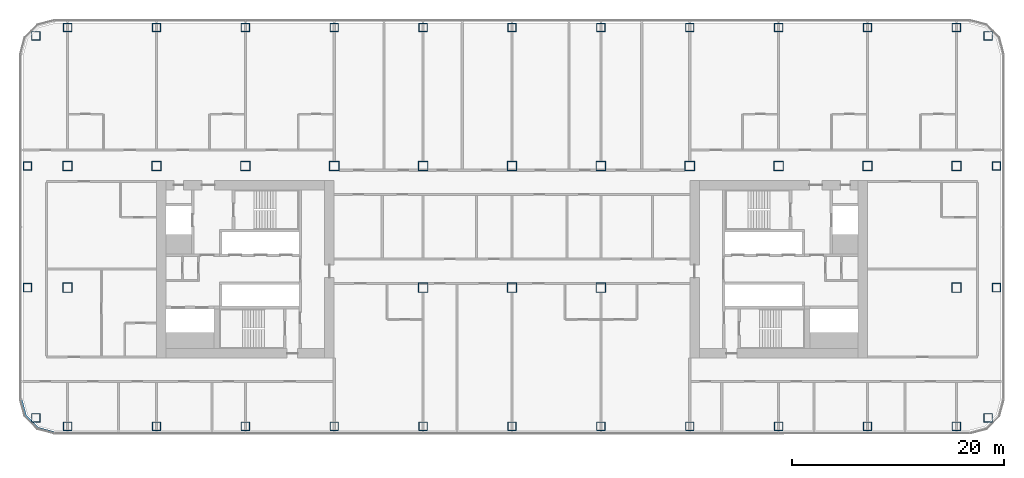
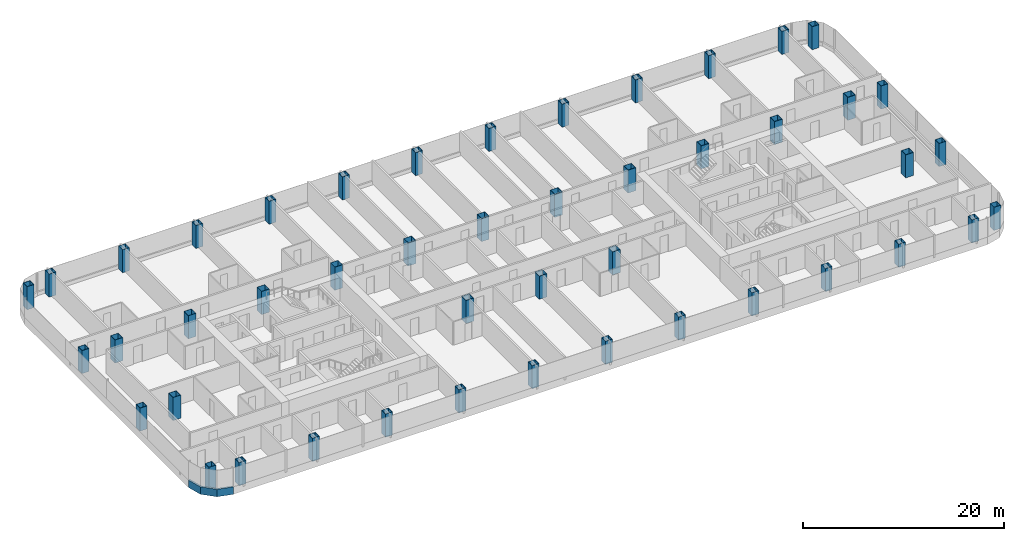
# One storey, part 1 of 29: 46 columns, 1 member, 1 element without a shape of its own.
"""IFC4 building model written with IfcOpenShell, lengths in metres."""

from ifc_helpers import new_model, si_unit, direction, frame, origin, origin_2d, place, context, subcontext, project, spatial, polyline, rectangle, hollow_rectangle, outline, extrude, material, layer, layer_set, material_profile, profile_set, type_object, element, aggregate, save


model = new_model("IFC4")

# Units and contexts
model_context = context("Model", 3, precision=1e-05, world=origin(), true_north=direction((0.0, 1.0)))
body_context = subcontext(model_context, "Body", "Model", "MODEL_VIEW")
ifc_project = project(units=[si_unit("LENGTHUNIT", "METRE"), si_unit("AREAUNIT", "SQUARE_METRE"), si_unit("VOLUMEUNIT", "CUBIC_METRE"), si_unit("PLANEANGLEUNIT", "RADIAN"), si_unit("MASSUNIT", "GRAM", prefix="KILO")], contexts=[model_context])

# Site, building, storey
site_placement = place(None, origin())
site = spatial("IfcSite", under=ifc_project, at=site_placement, CompositionType="ELEMENT")
building_placement = place(site_placement, origin())
building = spatial("IfcBuilding", under=site, at=building_placement, Name="Hakoniwa Tower and Hamabe Station Hall", CompositionType="ELEMENT")
storey_placement = place(building_placement, frame((0.0, 0.0, 91.39990234375)))
storey = spatial("IfcBuildingStorey", under=building, at=storey_placement, Name="L25", CompositionType="ELEMENT", Elevation=91.39990234375)

# Columns
ifc_material_1 = material(Name="Steel SN490C", Category="steel")
ifc_material_profile_1 = material_profile(ifc_material_1, hollow_rectangle(XDim=0.800048828125, YDim=0.800048828125, WallThickness=0.031982421875, at=origin_2d()), Name="BX-800x800x32")
ifc_profile_set_1 = profile_set([ifc_material_profile_1], Name="Steel SN490C")
column_type_1 = type_object("IfcColumnType", Name="COLUMN BX-800x800x32", PredefinedType="COLUMN", material=ifc_profile_set_1)
for number, where, z_axis, x_axis, name in (
    (1, (-45.003173828125, -14.052978515625, 0.0), (0.0, 0.0, 1.0), (1.0, 0.0, 0.0), "Column B2-EW-A2"),
    (2, (-45.800048828125, -1.75, 0.0), (0.0, 0.0, 1.0), (1.0, 0.0, 0.0), "Column B2-EW-C2"),
    (3, (-45.800048828125, 9.75, 0.0), (0.0, 0.0, 1.0), (1.0, 0.0, 0.0), "Column B2-EW-E2"),
    (4, (-45.003173828125, 22.052978515625, 0.0), (0.0, 0.0, 1.0), (1.0, 0.0, 0.0), "Column B2-EW-G2"),
    (5, (-42.0, -14.85009765625, 0.0), (0.0, 0.0, 1.0), (1.0, 0.0, 0.0), "Column B2-2-A2"),
    (6, (-42.0, 22.85009765625, 0.0), (0.0, 0.0, 1.0), (1.0, 0.0, 0.0), "Column B2-2-G2"),
    (7, (-33.60009765625, -14.85009765625, 0.0), (0.0, 0.0, 1.0), (1.0, 0.0, 0.0), "Column B2-3-A2"),
    (8, (-33.60009765625, 22.85009765625, 0.0), (0.0, 0.0, 1.0), (1.0, 0.0, 0.0), "Column B2-3-G2"),
    (9, (-25.199951171875, -14.85009765625, 0.0), (0.0, 0.0, 1.0), (1.0, 0.0, 0.0), "Column B2-4-A2"),
    (10, (-25.199951171875, 22.85009765625, 0.0), (0.0, 0.0, 1.0), (1.0, 0.0, 0.0), "Column B2-4-G2"),
    (11, (-16.800048828125, -14.85009765625, 0.0), (0.0, 0.0, 1.0), (1.0, 0.0, 0.0), "Column B2-5-A2"),
    (12, (-16.800048828125, 22.85009765625, 0.0), (0.0, 0.0, 1.0), (1.0, 0.0, 0.0), "Column B2-5-G2"),
    (13, (-8.39990234375, -14.85009765625, 0.0), (0.0, 0.0, 1.0), (1.0, 0.0, 0.0), "Column B2-6-A2"),
    (14, (-8.39990234375, 22.85009765625, 0.0), (0.0, 0.0, 1.0), (1.0, 0.0, 0.0), "Column B2-6-G2"),
    (15, (0.0, -14.85009765625, 0.0), (0.0, 0.0, 1.0), (1.0, 0.0, 0.0), "Column B2-7-A2"),
    (16, (0.0, 22.85009765625, 0.0), (0.0, 0.0, 1.0), (1.0, 0.0, 0.0), "Column B2-7-G2"),
    (17, (8.39990234375, -14.85009765625, 0.0), (0.0, 0.0, 1.0), (1.0, 0.0, 0.0), "Column B2-8-A2"),
    (18, (8.39990234375, 22.85009765625, 0.0), (0.0, 0.0, 1.0), (1.0, 0.0, 0.0), "Column B2-8-G2"),
    (19, (16.800048828125, -14.85009765625, 0.0), (0.0, 0.0, 1.0), (1.0, 0.0, 0.0), "Column B2-9-A2"),
    (20, (16.800048828125, 22.85009765625, 0.0), (0.0, 0.0, 1.0), (1.0, 0.0, 0.0), "Column B2-9-G2"),
    (21, (25.199951171875, -14.85009765625, 0.0), (0.0, 0.0, 1.0), (1.0, 0.0, 0.0), "Column B2-10-A2"),
    (22, (25.199951171875, 22.85009765625, 0.0), (0.0, 0.0, 1.0), (1.0, 0.0, 0.0), "Column B2-10-G2"),
    (23, (33.60009765625, -14.85009765625, 0.0), (0.0, 0.0, 1.0), (1.0, 0.0, 0.0), "Column B2-11-A2"),
    (24, (33.60009765625, 22.85009765625, 0.0), (0.0, 0.0, 1.0), (1.0, 0.0, 0.0), "Column B2-11-G2"),
    (25, (42.0, -14.85009765625, 0.0), (0.0, 0.0, 1.0), (1.0, 0.0, 0.0), "Column B2-12-A2"),
    (26, (42.0, 22.85009765625, 0.0), (0.0, 0.0, 1.0), (1.0, 0.0, 0.0), "Column B2-12-G2"),
    (27, (45.003173828125, -14.052978515625, 0.0), (0.0, 0.0, 1.0), (1.0, 0.0, 0.0), "Column B2-EE-A2"),
    (28, (45.800048828125, -1.75, 0.0), (0.0, 0.0, 1.0), (1.0, 0.0, 0.0), "Column B2-EE-C2"),
    (29, (45.800048828125, 9.75, 0.0), (0.0, 0.0, 1.0), (1.0, 0.0, 0.0), "Column B2-EE-E2"),
    (30, (45.003173828125, 22.052978515625, 0.0), (0.0, 0.0, 1.0), (1.0, 0.0, 0.0), "Column B2-EE-G2"),
):
    element("IfcColumn", number, at=place(storey_placement, frame(where, z_axis=z_axis, x_axis=x_axis)), inside=storey, type_object=column_type_1, Name=name, PredefinedType="COLUMN", context=body_context, shape_type="SweptSolid", body=[
        extrude(hollow_rectangle(XDim=0.800048828125, YDim=0.800048828125, WallThickness=0.031982421875, at=origin_2d()), origin(), (0.0, 0.0, 1.0), 2.800048828125),
    ])
ifc_material_2 = material(Name="Steel SN490C", Category="steel")
ifc_material_profile_2 = material_profile(ifc_material_2, hollow_rectangle(XDim=0.89990234375, YDim=0.89990234375, WallThickness=0.035888671875, at=origin_2d()), Name="BX-900x900x36")
ifc_profile_set_2 = profile_set([ifc_material_profile_2], Name="Steel SN490C")
column_type_2 = type_object("IfcColumnType", Name="COLUMN BX-900x900x36", PredefinedType="COLUMN", material=ifc_profile_set_2)
for number, where, z_axis, x_axis, name in (
    (31, (-42.0, -1.75, 0.0), (0.0, 0.0, 1.0), (1.0, 0.0, 0.0), "Column B2-2-C2"),
    (32, (-42.0, 9.75, 0.0), (0.0, 0.0, 1.0), (1.0, 0.0, 0.0), "Column B2-2-E2"),
    (33, (-33.60009765625, 9.75, 0.0), (0.0, 0.0, 1.0), (1.0, 0.0, 0.0), "Column B2-3-E2"),
    (34, (-25.199951171875, 9.75, 0.0), (0.0, 0.0, 1.0), (1.0, 0.0, 0.0), "Column B2-4-E2"),
    (35, (-16.800048828125, 9.75, 0.0), (0.0, 0.0, 1.0), (1.0, 0.0, 0.0), "Column B2-5-E2"),
    (36, (-8.39990234375, -1.75, 0.0), (0.0, 0.0, 1.0), (1.0, 0.0, 0.0), "Column B2-6-C2"),
    (37, (-8.39990234375, 9.75, 0.0), (0.0, 0.0, 1.0), (1.0, 0.0, 0.0), "Column B2-6-E2"),
    (38, (0.0, -1.75, 0.0), (0.0, 0.0, 1.0), (1.0, 0.0, 0.0), "Column B2-7-C2"),
    (39, (0.0, 9.75, 0.0), (0.0, 0.0, 1.0), (1.0, 0.0, 0.0), "Column B2-7-E2"),
    (40, (8.39990234375, -1.75, 0.0), (0.0, 0.0, 1.0), (1.0, 0.0, 0.0), "Column B2-8-C2"),
    (41, (8.39990234375, 9.75, 0.0), (0.0, 0.0, 1.0), (1.0, 0.0, 0.0), "Column B2-8-E2"),
    (42, (16.800048828125, 9.75, 0.0), (0.0, 0.0, 1.0), (1.0, 0.0, 0.0), "Column B2-9-E2"),
    (43, (25.199951171875, 9.75, 0.0), (0.0, 0.0, 1.0), (1.0, 0.0, 0.0), "Column B2-10-E2"),
    (44, (33.60009765625, 9.75, 0.0), (0.0, 0.0, 1.0), (1.0, 0.0, 0.0), "Column B2-11-E2"),
    (45, (42.0, -1.75, 0.0), (0.0, 0.0, 1.0), (1.0, 0.0, 0.0), "Column B2-12-C2"),
    (46, (42.0, 9.75, 0.0), (0.0, 0.0, 1.0), (1.0, 0.0, 0.0), "Column B2-12-E2"),
):
    element("IfcColumn", number, at=place(storey_placement, frame(where, z_axis=z_axis, x_axis=x_axis)), inside=storey, type_object=column_type_2, Name=name, PredefinedType="COLUMN", context=body_context, shape_type="SweptSolid", body=[
        extrude(hollow_rectangle(XDim=0.89990234375, YDim=0.89990234375, WallThickness=0.035888671875, at=origin_2d()), origin(), (0.0, 0.0, 1.0), 2.800048828125),
    ])

# Curtain wall, member
ifc_material_3 = material(Name="Dark low-e laminated glass", Category="glass")
ifc_layer = layer(ifc_material_3, 0.199951171875)
ifc_layer_set = layer_set([ifc_layer], Name="CW-1 UNITISED GUEST")
curtain_wall_type = type_object("IfcCurtainWallType", Name="CW-1 UNITISED GUEST", PredefinedType="NOTDEFINED", material=ifc_layer_set)
curtain_wall_placement = place(storey_placement, origin())
curtain_wall = element("IfcCurtainWall", 47, at=curtain_wall_placement, inside=storey, type_object=curtain_wall_type, Name="CW-1 curtain wall", PredefinedType="NOTDEFINED")
ifc_material_4 = material(Name="Aluminium 6063-T5 black anodised", Category="aluminium")
ifc_material_profile_3 = material_profile(ifc_material_4, rectangle(XDim=0.199951171875, YDim=0.89990234375, at=origin_2d()), Name="CW SLAB-EDGE BAND 900X200")
ifc_profile_set_3 = profile_set([ifc_material_profile_3], Name="Aluminium 6063-T5 black anodised")
member_type = type_object("IfcMemberType", Name="CW SLAB-EDGE BAND 900X200", PredefinedType="USERDEFINED", material=ifc_profile_set_3)
member_placement = place(storey_placement, frame((0.0, 0.0, -0.5498046875)))
member = element("IfcMember", 48, at=member_placement, type_object=member_type, Name="CW-1 transom", ObjectType="TRANSOM", PredefinedType="USERDEFINED", context=body_context, shape_type="SweptSolid", body=[
    extrude(outline(polyline([(-46.5, -12.28955078125), (-46.067138671875, -13.9052734375), (-44.855224609375, -15.116943359375), (-43.239501953125, -15.550048828125), (-43.187744140625, -15.35693359375), (-44.751708984375, -14.937744140625), (-45.8876953125, -13.8017578125), (-46.306884765625, -12.23779296875), (-46.5, -12.28955078125)])), origin(), (0.0, 0.0, 1.0), 0.89990234375),
])
aggregate(curtain_wall, [member])

save(model, "model.ifc")
